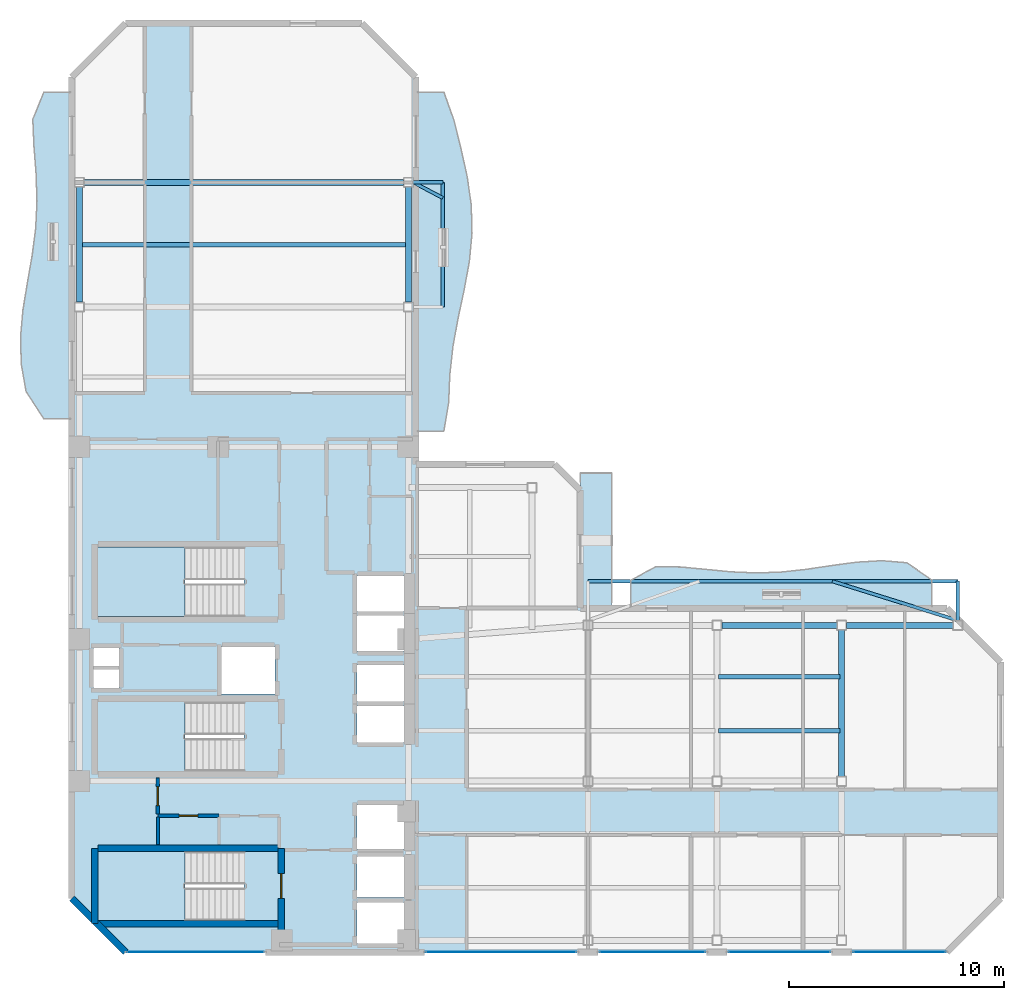
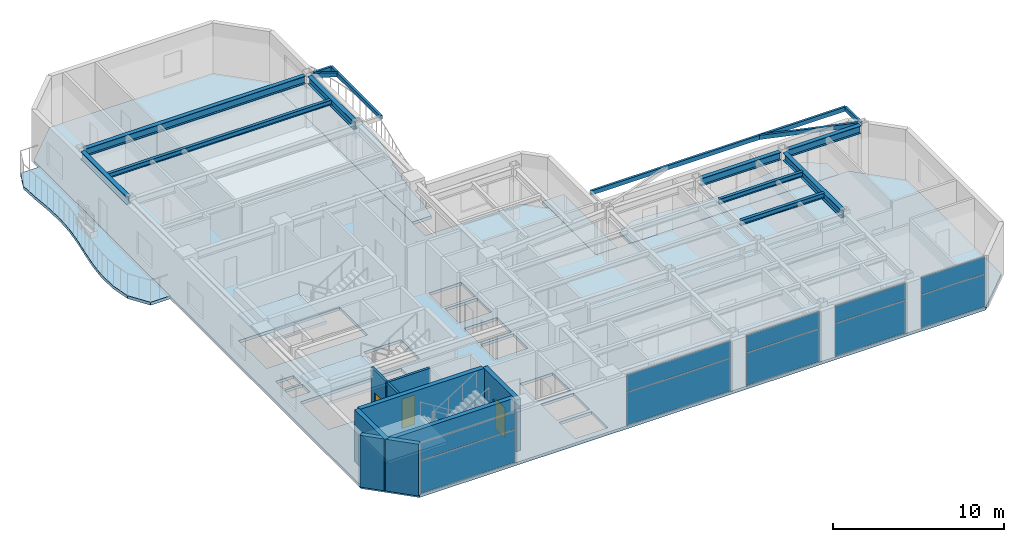
# One storey, part 8 of 15: 15 beams, 10 plates, 8 slabs, 8 walls, 3 doors, 3 openings, 8 elements without a shape of their own.
"""IFC4 building model written with IfcOpenShell, lengths in metres."""

from ifc_helpers import new_model, si_unit, direction, frame, frame_2d, origin, origin_2d, place, context, subcontext, project, spatial, polyline, rectangle, hollow_rectangle, i_section, outline, extrude, material, layer, layer_set, material_profile, profile_set, type_object, element, fill, aggregate, save


model = new_model("IFC4")

# Units and contexts
model_context = context("Model", 3, precision=1e-05, world=origin(), true_north=direction((0.0, 1.0)))
body_context = subcontext(model_context, "Body", "Model", "MODEL_VIEW")
ifc_project = project(units=[si_unit("LENGTHUNIT", "METRE"), si_unit("AREAUNIT", "SQUARE_METRE"), si_unit("VOLUMEUNIT", "CUBIC_METRE"), si_unit("PLANEANGLEUNIT", "RADIAN"), si_unit("MASSUNIT", "GRAM", prefix="KILO")], contexts=[model_context])

# Site, building, storey
site_placement = place(None, origin())
site = spatial("IfcSite", under=ifc_project, at=site_placement, CompositionType="ELEMENT")
building_placement = place(site_placement, origin())
building = spatial("IfcBuilding", under=site, at=building_placement, Name="Mawjaban Terraces University", CompositionType="ELEMENT")
storey_placement = place(building_placement, frame((0.0, 0.0, 207.0)))
storey = spatial("IfcBuildingStorey", under=building, at=storey_placement, Name="L50", CompositionType="ELEMENT", Elevation=207.0)

# Beams
ifc_material_1 = material(Name="Steel EN 10210-1 S355J2H", Category="steel")
ifc_material_profile_1 = material_profile(ifc_material_1, hollow_rectangle(XDim=0.14990234375, YDim=0.300048828125, WallThickness=0.012451171875, at=origin_2d()), Name="RHS300X150X12.5")
ifc_profile_set_1 = profile_set([ifc_material_profile_1], Name="Steel EN 10210-1 S355J2H")
beam_type_1 = type_object("IfcBeamType", Name="BalconyCantileverSpandrel_RHS", PredefinedType="SPANDREL", material=ifc_profile_set_1)
beam_1_placement = place(storey_placement, frame((63.199951171875, 15.425048828125, 3.5400390625), z_axis=(0.0, 1.0, 0.0), x_axis=(-1.0, 0.0, 0.0)))
element("IfcBeam", 1, at=beam_1_placement, inside=storey, type_object=beam_type_1, Name="L50 Exterior Outrigger BAL-L51-N.2", PredefinedType="SPANDREL", context=body_context, shape_type="SweptSolid", body=[
    extrude(hollow_rectangle(XDim=0.14990234375, YDim=0.300048828125, WallThickness=0.012451171875, at=origin_2d()), origin(), (0.0, 0.0, 1.0), 1.824951171875),
])
beam_2_placement = place(storey_placement, frame((46.0, 17.25, 3.5400390625), z_axis=(1.0, 0.0, 0.0), x_axis=(0.0, 1.0, 0.0)))
element("IfcBeam", 2, at=beam_2_placement, inside=storey, type_object=beam_type_1, Name="L50 Exterior Edge Spandrel BAL-L51-N", PredefinedType="SPANDREL", context=body_context, shape_type="SweptSolid", body=[
    extrude(hollow_rectangle(XDim=0.14990234375, YDim=0.300048828125, WallThickness=0.012451171875, at=origin_2d()), origin(), (0.0, 0.0, 1.0), 17.199951171875),
])
beam_3_placement = place(storey_placement, frame((63.199951171875, 15.425048828125, 3.5400390625), z_axis=(-0.954408895032, 0.298502363614, 0.0), x_axis=(-0.298502363614, -0.954408895032, 0.0)))
element("IfcBeam", 3, at=beam_3_placement, inside=storey, type_object=beam_type_1, Name="L50 Exterior Diagonal Strut BAL-L51-N.2", PredefinedType="SPANDREL", context=body_context, shape_type="SweptSolid", body=[
    extrude(hollow_rectangle(XDim=0.14990234375, YDim=0.300048828125, WallThickness=0.012451171875, at=origin_2d()), origin(), (0.0, 0.0, 1.0), 6.11376953125),
])
beam_4_placement = place(storey_placement, frame((37.875, 35.800048828125, 3.5400390625), z_axis=(1.0, 0.0, 0.0), x_axis=(0.0, 1.0, 0.0)))
element("IfcBeam", 4, at=beam_4_placement, inside=storey, type_object=beam_type_1, Name="L50 Exterior Outrigger BAL-L51-E.2", PredefinedType="SPANDREL", context=body_context, shape_type="SweptSolid", body=[
    extrude(hollow_rectangle(XDim=0.14990234375, YDim=0.300048828125, WallThickness=0.012451171875, at=origin_2d()), origin(), (0.0, 0.0, 1.0), 1.375),
])
beam_5_placement = place(storey_placement, frame((39.25, 30.0, 3.5400390625), z_axis=(0.0, 1.0, 0.0), x_axis=(-1.0, 0.0, 0.0)))
element("IfcBeam", 5, at=beam_5_placement, inside=storey, type_object=beam_type_1, Name="L50 Exterior Edge Spandrel BAL-L51-E", PredefinedType="SPANDREL", context=body_context, shape_type="SweptSolid", body=[
    extrude(hollow_rectangle(XDim=0.14990234375, YDim=0.300048828125, WallThickness=0.012451171875, at=origin_2d()), origin(), (0.0, 0.0, 1.0), 5.800048828125),
])
beam_6_placement = place(storey_placement, frame((37.875, 35.800048828125, 3.5400390625), z_axis=(0.8845431803, -0.466458317736, 0.0), x_axis=(0.466458317736, 0.8845431803, 0.0)))
element("IfcBeam", 6, at=beam_6_placement, inside=storey, type_object=beam_type_1, Name="L50 Exterior Diagonal Strut BAL-L51-E.2", PredefinedType="SPANDREL", context=body_context, shape_type="SweptSolid", body=[
    extrude(hollow_rectangle(XDim=0.14990234375, YDim=0.300048828125, WallThickness=0.012451171875, at=origin_2d()), origin(), (0.0, 0.0, 1.0), 1.554443359375),
])
ifc_material_2 = material(Name="Steel ASTM A572 Grade 50", Category="steel")
ifc_material_profile_2 = material_profile(ifc_material_2, i_section(OverallWidth=0.281005859375, OverallDepth=0.551025390625, WebThickness=0.01513671875, FlangeThickness=0.02587890625, at=origin_2d()), Name="W530X182")
ifc_profile_set_2 = profile_set([ifc_material_profile_2], Name="Steel ASTM A572 Grade 50")
beam_type_2 = type_object("IfcBeamType", Name="Beam_B_W530X182", PredefinedType="BEAM", material=ifc_profile_set_2)
beam_7_placement = place(storey_placement, frame((52.22509765625, 15.199951171875, 3.4150390625), z_axis=(1.0, 0.0, 0.0), x_axis=(0.0, 1.0, 0.0)))
element("IfcBeam", 7, at=beam_7_placement, inside=storey, type_object=beam_type_2, Name="L50 Beam BM-L50-EW-08", PredefinedType="BEAM", context=body_context, shape_type="SweptSolid", body=[
    extrude(i_section(OverallWidth=0.281005859375, OverallDepth=0.551025390625, WebThickness=0.01513671875, FlangeThickness=0.02587890625, at=origin_2d()), origin(), (0.0, 0.0, 1.0), 5.349853515625),
])
beam_8_placement = place(storey_placement, frame((58.02490234375, 15.199951171875, 3.4150390625), z_axis=(1.0, 0.0, 0.0), x_axis=(0.0, 1.0, 0.0)))
element("IfcBeam", 8, at=beam_8_placement, inside=storey, type_object=beam_type_2, Name="L50 Beam BM-L50-EW-09", PredefinedType="BEAM", context=body_context, shape_type="SweptSolid", body=[
    extrude(i_section(OverallWidth=0.281005859375, OverallDepth=0.551025390625, WebThickness=0.01513671875, FlangeThickness=0.02587890625, at=origin_2d()), origin(), (0.0, 0.0, 1.0), 4.9501953125),
])
beam_9_placement = place(storey_placement, frame((22.574951171875, 35.800048828125, 3.4150390625), z_axis=(1.0, 0.0, 0.0), x_axis=(0.0, 1.0, 0.0)))
element("IfcBeam", 9, at=beam_9_placement, inside=storey, type_object=beam_type_2, Name="L50 Beam BM-L50-EW-13", PredefinedType="BEAM", context=body_context, shape_type="SweptSolid", body=[
    extrude(i_section(OverallWidth=0.281005859375, OverallDepth=0.551025390625, WebThickness=0.01513671875, FlangeThickness=0.02587890625, at=origin_2d()), origin(), (0.0, 0.0, 1.0), 14.85009765625),
])
for number, where, z_axis, x_axis, name in (
    (10, (22.35009765625, 30.22509765625, 3.4150390625), (0.0, 1.0, 0.0), (-1.0, 0.0, 0.0), "L50 Beam BM-L50-NS-04"),
    (11, (37.64990234375, 30.22509765625, 3.4150390625), (0.0, 1.0, 0.0), (-1.0, 0.0, 0.0), "L50 Beam BM-L50-NS-09"),
):
    element("IfcBeam", number, at=place(storey_placement, frame(where, z_axis=z_axis, x_axis=x_axis)), inside=storey, type_object=beam_type_2, Name=name, PredefinedType="BEAM", context=body_context, shape_type="SweptSolid", body=[
        extrude(i_section(OverallWidth=0.281005859375, OverallDepth=0.551025390625, WebThickness=0.01513671875, FlangeThickness=0.02587890625, at=origin_2d()), origin(), (0.0, 0.0, 1.0), 5.349853515625),
    ])
beam_10_placement = place(storey_placement, frame((57.800048828125, 8.175048828125, 3.4150390625), z_axis=(0.0, 1.0, 0.0), x_axis=(-1.0, 0.0, 0.0)))
element("IfcBeam", 12, at=beam_10_placement, inside=storey, type_object=beam_type_2, Name="L50 Beam BM-L50-NS-15", PredefinedType="BEAM", context=body_context, shape_type="SweptSolid", body=[
    extrude(i_section(OverallWidth=0.281005859375, OverallDepth=0.551025390625, WebThickness=0.01513671875, FlangeThickness=0.02587890625, at=origin_2d()), origin(), (0.0, 0.0, 1.0), 6.800048828125),
])
ifc_material_profile_3 = material_profile(ifc_material_2, i_section(OverallWidth=0.202880859375, OverallDepth=0.346923828125, WebThickness=0.0078125, FlangeThickness=0.013427734375, at=origin_2d()), Name="W360X64")
ifc_profile_set_3 = profile_set([ifc_material_profile_3], Name="Steel ASTM A572 Grade 50")
beam_type_3 = type_object("IfcBeamType", Name="Beam_J_W360X64", PredefinedType="JOIST", material=ifc_profile_set_3)
for number, where, z_axis, x_axis, name in (
    (13, (52.080078125, 10.300048828125, 3.51708984375), (1.0, 0.0, 0.0), (0.0, 1.0, 0.0), "L50 Composite Joist JST-L50-09"),
    (14, (52.080078125, 12.800048828125, 3.51708984375), (1.0, 0.0, 0.0), (0.0, 1.0, 0.0), "L50 Composite Joist JST-L50-12"),
):
    element("IfcBeam", number, at=place(storey_placement, frame(where, z_axis=z_axis, x_axis=x_axis)), inside=storey, type_object=beam_type_3, Name=name, PredefinedType="JOIST", context=body_context, shape_type="SweptSolid", body=[
        extrude(i_section(OverallWidth=0.202880859375, OverallDepth=0.346923828125, WebThickness=0.0078125, FlangeThickness=0.013427734375, at=origin_2d()), origin(), (0.0, 0.0, 1.0), 5.639892578125),
    ])
beam_11_placement = place(storey_placement, frame((22.429931640625, 32.89990234375, 3.51708984375), z_axis=(1.0, 0.0, 0.0), x_axis=(0.0, 1.0, 0.0)))
element("IfcBeam", 15, at=beam_11_placement, inside=storey, type_object=beam_type_3, Name="L50 Composite Joist JST-L50-15", PredefinedType="JOIST", context=body_context, shape_type="SweptSolid", body=[
    extrude(i_section(OverallWidth=0.202880859375, OverallDepth=0.346923828125, WebThickness=0.0078125, FlangeThickness=0.013427734375, at=origin_2d()), origin(), (0.0, 0.0, 1.0), 15.14013671875),
])

# Slabs
ifc_material_3 = material(Name="Concrete C40/50", Category="concrete")
ifc_layer_1 = layer(ifc_material_3, 0.2099609375)
ifc_layer_set_1 = layer_set([ifc_layer_1], Name="Concrete C40/50")
slab_type_1 = type_object("IfcSlabType", Name="BalconySlab_210_Ext", PredefinedType="FLOOR", material=ifc_layer_set_1)
slab_1_placement = place(storey_placement, frame((0.0, 0.0, -0.2099609375)))
element("IfcSlab", 16, at=slab_1_placement, inside=storey, type_object=slab_type_1, Name="L50 Planted Balcony Slab west", PredefinedType="FLOOR", context=body_context, shape_type="SweptSolid", body=[
    extrude(outline(polyline([(22.010009765625, 24.800048828125), (22.010009765625, 40.0), (20.699951171875, 40.0), (20.18310546875, 38.73291015625), (20.237060546875, 37.467041015625), (20.3349609375, 36.199951171875), (20.3779296875, 34.93310546875), (20.318115234375, 33.6669921875), (20.154052734375, 32.39990234375), (19.931884765625, 31.133056640625), (19.72509765625, 29.866943359375), (19.612060546875, 28.60009765625), (19.64892578125, 27.3330078125), (19.8720703125, 26.06689453125), (20.699951171875, 24.800048828125), (22.010009765625, 24.800048828125)])), origin(), (0.0, 0.0, 1.0), 0.2099609375),
])
slab_2_placement = place(storey_placement, frame((0.0, 0.0, -0.2099609375)))
element("IfcSlab", 17, at=slab_2_placement, inside=storey, type_object=slab_type_1, Name="L50 Planted Balcony Slab inner_north", PredefinedType="FLOOR", context=body_context, shape_type="SweptSolid", body=[
    extrude(outline(polyline([(48.0, 15.989990234375), (62.0, 15.989990234375), (62.0, 17.300048828125), (60.8330078125, 18.10888671875), (59.6669921875, 18.2041015625), (58.5, 18.135009765625), (57.3330078125, 17.97802734375), (56.1669921875, 17.803955078125), (55.0, 17.676025390625), (53.8330078125, 17.635009765625), (52.6669921875, 17.68505859375), (51.5, 17.798095703125), (50.3330078125, 17.909912109375), (49.1669921875, 17.927001953125), (48.0, 17.300048828125), (48.0, 15.989990234375)])), origin(), (0.0, 0.0, 1.0), 0.2099609375),
])
slab_3_placement = place(storey_placement, frame((0.0, 0.0, -0.2099609375)))
element("IfcSlab", 18, at=slab_3_placement, inside=storey, type_object=slab_type_1, Name="L50 Planted Balcony Slab inner_east", PredefinedType="FLOOR", context=body_context, shape_type="SweptSolid", body=[
    extrude(outline(polyline([(39.300048828125, 24.235107421875), (39.52197265625, 25.549072265625), (39.576904296875, 26.863037109375), (39.722900390625, 28.176025390625), (39.962890625, 29.489990234375), (40.243896484375, 30.803955078125), (40.485107421875, 32.116943359375), (40.60888671875, 33.430908203125), (40.573974609375, 34.7451171875), (40.385986328125, 36.05908203125), (40.093994140625, 37.373046875), (39.77001953125, 38.68603515625), (39.300048828125, 40.0), (37.989990234375, 40.0), (37.989990234375, 24.235107421875), (39.300048828125, 24.235107421875)])), origin(), (0.0, 0.0, 1.0), 0.2099609375),
])
ifc_layer_2 = layer(ifc_material_3, 0.2099609375)
ifc_layer_set_2 = layer_set([ifc_layer_2], Name="Concrete C40/50")
slab_type_2 = type_object("IfcSlabType", Name="CompositeSlab_210", PredefinedType="FLOOR", material=ifc_layer_set_2)
slab_4_placement = place(storey_placement, frame((0.0, 0.0, -0.2099609375)))
element("IfcSlab", 19, at=slab_4_placement, inside=storey, type_object=slab_type_2, Name="L50 Primary Structural Slab", PredefinedType="FLOOR", context=body_context, shape_type="SweptSolid", body=[
    extrude(outline(polyline([(24.5, 0.0), (62.699951171875, 0.0), (65.199951171875, 2.5), (65.199951171875, 13.5), (62.699951171875, 16.0), (45.64990234375, 16.0), (45.64990234375, 21.48291015625), (44.449951171875, 22.68310546875), (38.0, 22.68310546875), (38.0, 40.699951171875), (35.5, 43.199951171875), (24.5, 43.199951171875), (22.0, 40.699951171875), (22.0, 2.5), (24.5, 0.0)]), holes=[polyline([(30.014892578125, 4.699951171875), (23.199951171875, 4.699951171875), (23.199951171875, 1.449951171875), (30.014892578125, 1.449951171875), (30.014892578125, 4.699951171875)]), polyline([(30.014892578125, 18.85009765625), (23.199951171875, 18.85009765625), (23.199951171875, 15.60009765625), (30.014892578125, 15.60009765625), (30.014892578125, 18.85009765625)]), polyline([(30.014892578125, 11.64990234375), (23.199951171875, 11.64990234375), (23.199951171875, 8.39990234375), (30.014892578125, 8.39990234375), (30.014892578125, 11.64990234375)]), polyline([(35.25, 0.39990234375), (37.449951171875, 0.39990234375), (37.449951171875, 2.300048828125), (35.25, 2.300048828125), (35.25, 0.39990234375)]), polyline([(35.25, 2.550048828125), (37.449951171875, 2.550048828125), (37.449951171875, 4.449951171875), (35.25, 4.449951171875), (35.25, 2.550048828125)]), polyline([(35.25, 4.800048828125), (37.449951171875, 4.800048828125), (37.449951171875, 6.85009765625), (35.25, 6.85009765625), (35.25, 4.800048828125)]), polyline([(35.25, 9.75), (37.449951171875, 9.75), (37.449951171875, 11.449951171875), (35.25, 11.449951171875), (35.25, 9.75)]), polyline([(35.25, 11.64990234375), (37.449951171875, 11.64990234375), (37.449951171875, 13.35009765625), (35.25, 13.35009765625), (35.25, 11.64990234375)]), polyline([(28.949951171875, 12.0), (31.449951171875, 12.0), (31.449951171875, 14.199951171875), (28.949951171875, 14.199951171875), (28.949951171875, 12.0)]), polyline([(35.25, 14.0), (37.449951171875, 14.0), (37.449951171875, 15.64990234375), (35.25, 15.64990234375), (35.25, 14.0)]), polyline([(35.25, 15.85009765625), (37.449951171875, 15.85009765625), (37.449951171875, 17.5), (35.25, 17.5), (35.25, 15.85009765625)]), polyline([(23.0, 12.25), (24.199951171875, 12.25), (24.199951171875, 13.14990234375), (23.0, 13.14990234375), (23.0, 12.25)]), polyline([(23.0, 13.300048828125), (24.199951171875, 13.300048828125), (24.199951171875, 14.179931640625), (23.0, 14.179931640625), (23.0, 13.300048828125)])]), origin(), (0.0, 0.0, 1.0), 0.2099609375),
])

# Stair, slab
stair_type = type_object("IfcStairType", Name="Stair_Core1550_H39", PredefinedType="HALF_TURN_STAIR", material=ifc_material_3)
stair_1_placement = place(storey_placement, origin())
stair_1 = element("IfcStair", 20, at=stair_1_placement, inside=storey, type_object=stair_type, Name="L50 Core Exit Stair 1", PredefinedType="HALF_TURN_STAIR")
ifc_layer_3 = layer(ifc_material_3, 0.199951171875)
ifc_layer_set_3 = layer_set([ifc_layer_3], Name="Concrete C40/50")
slab_type_3 = type_object("IfcSlabType", Name="StairLandingSlab_200", PredefinedType="LANDING", material=ifc_layer_set_3)
slab_5_placement = place(storey_placement, frame((0.0, 0.0, 1.75)))
slab_5 = element("IfcSlab", 21, at=slab_5_placement, type_object=slab_type_3, Name="ST-1 landing 1", PredefinedType="LANDING", context=body_context, shape_type="SweptSolid", body=[
    extrude(outline(polyline([(27.25, 4.699951171875), (23.199951171875, 4.699951171875), (23.199951171875, 1.449951171875), (27.25, 1.449951171875), (27.25, 4.699951171875)])), origin(), (0.0, 0.0, 1.0), 0.199951171875),
])
aggregate(stair_1, [slab_5])

stair_2_placement = place(storey_placement, origin())
stair_2 = element("IfcStair", 22, at=stair_2_placement, inside=storey, type_object=stair_type, Name="L50 Core Exit Stair 2", PredefinedType="HALF_TURN_STAIR")
slab_6_placement = place(storey_placement, frame((0.0, 0.0, 1.75)))
slab_6 = element("IfcSlab", 23, at=slab_6_placement, type_object=slab_type_3, Name="ST-2 landing 1", PredefinedType="LANDING", context=body_context, shape_type="SweptSolid", body=[
    extrude(outline(polyline([(27.25, 18.85009765625), (23.199951171875, 18.85009765625), (23.199951171875, 15.60009765625), (27.25, 15.60009765625), (27.25, 18.85009765625)])), origin(), (0.0, 0.0, 1.0), 0.199951171875),
])
aggregate(stair_2, [slab_6])

stair_3_placement = place(storey_placement, origin())
stair_3 = element("IfcStair", 24, at=stair_3_placement, inside=storey, type_object=stair_type, Name="L50 Core Exit Stair 3", PredefinedType="HALF_TURN_STAIR")
slab_7_placement = place(storey_placement, frame((0.0, 0.0, 1.75)))
slab_7 = element("IfcSlab", 25, at=slab_7_placement, type_object=slab_type_3, Name="ST-3 landing 1", PredefinedType="LANDING", context=body_context, shape_type="SweptSolid", body=[
    extrude(outline(polyline([(27.25, 11.64990234375), (23.199951171875, 11.64990234375), (23.199951171875, 8.39990234375), (27.25, 8.39990234375), (27.25, 11.64990234375)])), origin(), (0.0, 0.0, 1.0), 0.199951171875),
])
aggregate(stair_3, [slab_7])

# Slab
ifc_layer_4 = layer(ifc_material_3, 0.2099609375)
ifc_layer_set_4 = layer_set([ifc_layer_4], Name="Concrete C40/50")
slab_type_4 = type_object("IfcSlabType", Name="StudyTerraceSlab_210_Ext", PredefinedType="FLOOR", material=ifc_layer_set_4)
slab_8_placement = place(storey_placement, frame((0.0, 0.0, -0.2099609375)))
element("IfcSlab", 26, at=slab_8_placement, inside=storey, type_object=slab_type_4, Name="L50 Exterior Study Terrace Slab", PredefinedType="FLOOR", context=body_context, shape_type="SweptSolid", body=[
    extrude(outline(polyline([(45.64990234375, 16.0), (47.10009765625, 16.0), (47.10009765625, 22.282958984375), (45.64990234375, 22.282958984375), (45.64990234375, 16.0)])), origin(), (0.0, 0.0, 1.0), 0.2099609375),
])

# Curtain wall, plates
ifc_material_4 = material(Name="Anodised aluminium 6063-T6 and solar-control low-E glass", Category="aluminium")
ifc_layer_5 = layer(ifc_material_4, 0.159912109375)
ifc_layer_set_5 = layer_set([ifc_layer_5], Name="Anodised aluminium 6063-T6 and solar-control low-E glass")
curtain_wall_type = type_object("IfcCurtainWallType", Name="CWSystem_03_NorthWing", PredefinedType="NOTDEFINED", material=ifc_layer_set_5)
curtain_wall_1_placement = place(storey_placement, origin())
curtain_wall_1 = element("IfcCurtainWall", 27, at=curtain_wall_1_placement, inside=storey, type_object=curtain_wall_type, Name="L50 Curtain Wall CW-03 Run 1.1", PredefinedType="NOTDEFINED")
ifc_material_5 = material(Name="Low-E solar-control double glazing", Category="glass")
ifc_layer_6 = layer(ifc_material_5, 0.028076171875)
ifc_layer_set_6 = layer_set([ifc_layer_6], Name="Low-E solar-control double glazing")
plate_type = type_object("IfcPlateType", Name="VisionPanel_CW-03", PredefinedType="CURTAIN_PANEL", material=ifc_layer_set_6)
plate_1_placement = place(storey_placement, frame((27.75, 0.0, 0.06005859375), z_axis=(0.0, 0.0, 1.0), x_axis=(1.0, 0.0, 0.0)))
plate_1 = element("IfcPlate", 28, at=plate_1_placement, type_object=plate_type, Name="CW-03 panel 1.1", PredefinedType="CURTAIN_PANEL", context=body_context, shape_type="SweptSolid", body=[
    extrude(rectangle(XDim=6.3701171875, YDim=0.028076171875, at=origin_2d()), origin(), (0.0, 0.0, 1.0), 2.30908203125),
])
plate_2_placement = place(storey_placement, frame((27.75, 0.0, 2.42919921875), z_axis=(0.0, 0.0, 1.0), x_axis=(1.0, 0.0, 0.0)))
plate_2 = element("IfcPlate", 29, at=plate_2_placement, type_object=plate_type, Name="CW-03 panel 1.2", PredefinedType="CURTAIN_PANEL", context=body_context, shape_type="SweptSolid", body=[
    extrude(rectangle(XDim=6.3701171875, YDim=0.028076171875, at=origin_2d()), origin(), (0.0, 0.0, 1.0), 1.200927734375),
])
aggregate(curtain_wall_1, [plate_1, plate_2])

curtain_wall_2_placement = place(storey_placement, origin())
curtain_wall_2 = element("IfcCurtainWall", 30, at=curtain_wall_2_placement, inside=storey, type_object=curtain_wall_type, Name="L50 Curtain Wall CW-03 Run 1.2", PredefinedType="NOTDEFINED")
plate_3_placement = place(storey_placement, frame((41.96240234375, 0.0, 0.06005859375), z_axis=(0.0, 0.0, 1.0), x_axis=(1.0, 0.0, 0.0)))
plate_3 = element("IfcPlate", 31, at=plate_3_placement, type_object=plate_type, Name="CW-03 panel 1.1", PredefinedType="CURTAIN_PANEL", context=body_context, shape_type="SweptSolid", body=[
    extrude(rectangle(XDim=6.9951171875, YDim=0.028076171875, at=origin_2d()), origin(), (0.0, 0.0, 1.0), 2.30908203125),
])
plate_4_placement = place(storey_placement, frame((41.96240234375, 0.0, 2.42919921875), z_axis=(0.0, 0.0, 1.0), x_axis=(1.0, 0.0, 0.0)))
plate_4 = element("IfcPlate", 32, at=plate_4_placement, type_object=plate_type, Name="CW-03 panel 1.2", PredefinedType="CURTAIN_PANEL", context=body_context, shape_type="SweptSolid", body=[
    extrude(rectangle(XDim=6.9951171875, YDim=0.028076171875, at=origin_2d()), origin(), (0.0, 0.0, 1.0), 1.200927734375),
])
aggregate(curtain_wall_2, [plate_3, plate_4])

curtain_wall_3_placement = place(storey_placement, origin())
curtain_wall_3 = element("IfcCurtainWall", 33, at=curtain_wall_3_placement, inside=storey, type_object=curtain_wall_type, Name="L50 Curtain Wall CW-03 Run 1.3", PredefinedType="NOTDEFINED")
plate_5_placement = place(storey_placement, frame((49.0, 0.0, 0.06005859375), z_axis=(0.0, 0.0, 1.0), x_axis=(1.0, 0.0, 0.0)))
plate_5 = element("IfcPlate", 34, at=plate_5_placement, type_object=plate_type, Name="CW-03 panel 1.1", PredefinedType="CURTAIN_PANEL", context=body_context, shape_type="SweptSolid", body=[
    extrude(rectangle(XDim=4.919921875, YDim=0.028076171875, at=origin_2d()), origin(), (0.0, 0.0, 1.0), 2.30908203125),
])
plate_6_placement = place(storey_placement, frame((49.0, 0.0, 2.42919921875), z_axis=(0.0, 0.0, 1.0), x_axis=(1.0, 0.0, 0.0)))
plate_6 = element("IfcPlate", 35, at=plate_6_placement, type_object=plate_type, Name="CW-03 panel 1.2", PredefinedType="CURTAIN_PANEL", context=body_context, shape_type="SweptSolid", body=[
    extrude(rectangle(XDim=4.919921875, YDim=0.028076171875, at=origin_2d()), origin(), (0.0, 0.0, 1.0), 1.200927734375),
])
aggregate(curtain_wall_3, [plate_5, plate_6])

curtain_wall_4_placement = place(storey_placement, origin())
curtain_wall_4 = element("IfcCurtainWall", 36, at=curtain_wall_4_placement, inside=storey, type_object=curtain_wall_type, Name="L50 Curtain Wall CW-03 Run 1.4", PredefinedType="NOTDEFINED")
plate_7_placement = place(storey_placement, frame((54.89990234375, 0.0, 0.06005859375), z_axis=(0.0, 0.0, 1.0), x_axis=(1.0, 0.0, 0.0)))
plate_7 = element("IfcPlate", 37, at=plate_7_placement, type_object=plate_type, Name="CW-03 panel 1.1", PredefinedType="CURTAIN_PANEL", context=body_context, shape_type="SweptSolid", body=[
    extrude(rectangle(XDim=4.719970703125, YDim=0.028076171875, at=origin_2d()), origin(), (0.0, 0.0, 1.0), 2.30908203125),
])
plate_8_placement = place(storey_placement, frame((54.89990234375, 0.0, 2.42919921875), z_axis=(0.0, 0.0, 1.0), x_axis=(1.0, 0.0, 0.0)))
plate_8 = element("IfcPlate", 38, at=plate_8_placement, type_object=plate_type, Name="CW-03 panel 1.2", PredefinedType="CURTAIN_PANEL", context=body_context, shape_type="SweptSolid", body=[
    extrude(rectangle(XDim=4.719970703125, YDim=0.028076171875, at=origin_2d()), origin(), (0.0, 0.0, 1.0), 1.200927734375),
])
aggregate(curtain_wall_4, [plate_7, plate_8])

curtain_wall_5_placement = place(storey_placement, origin())
curtain_wall_5 = element("IfcCurtainWall", 39, at=curtain_wall_5_placement, inside=storey, type_object=curtain_wall_type, Name="L50 Curtain Wall CW-03 Run 1.5", PredefinedType="NOTDEFINED")
plate_9_placement = place(storey_placement, frame((60.487548828125, 0.0, 0.06005859375), z_axis=(0.0, 0.0, 1.0), x_axis=(1.0, 0.0, 0.0)))
plate_9 = element("IfcPlate", 40, at=plate_9_placement, type_object=plate_type, Name="CW-03 panel 1.1", PredefinedType="CURTAIN_PANEL", context=body_context, shape_type="SweptSolid", body=[
    extrude(rectangle(XDim=4.294921875, YDim=0.028076171875, at=origin_2d()), origin(), (0.0, 0.0, 1.0), 2.30908203125),
])
plate_10_placement = place(storey_placement, frame((60.487548828125, 0.0, 2.42919921875), z_axis=(0.0, 0.0, 1.0), x_axis=(1.0, 0.0, 0.0)))
plate_10 = element("IfcPlate", 41, at=plate_10_placement, type_object=plate_type, Name="CW-03 panel 1.2", PredefinedType="CURTAIN_PANEL", context=body_context, shape_type="SweptSolid", body=[
    extrude(rectangle(XDim=4.294921875, YDim=0.028076171875, at=origin_2d()), origin(), (0.0, 0.0, 1.0), 1.200927734375),
])
aggregate(curtain_wall_5, [plate_9, plate_10])

# Wall, opening, door
ifc_material_6 = material(Name="Fire-rated gypsum board on steel stud", Category="steel")
ifc_layer_7 = layer(ifc_material_6, 0.159912109375)
ifc_layer_set_7 = layer_set([ifc_layer_7], Name="Fire-rated gypsum board on steel stud")
wall_type_1 = type_object("IfcWallType", Name="CorridorPartition_160", PredefinedType="PARTITIONING", material=ifc_layer_set_7)
wall_1_placement = place(storey_placement, frame((26.0, 6.35009765625, 0.0), z_axis=(0.0, 0.0, 1.0), x_axis=(1.0, 0.0, 0.0)))
wall_1 = element("IfcWall", 42, at=wall_1_placement, inside=storey, type_object=wall_type_1, Name="L50 Core Washroom Lobby Partition 5", PredefinedType="PARTITIONING", context=body_context, shape_type="SweptSolid", body=[
    extrude(rectangle(XDim=2.85009765625, YDim=0.159912109375, at=frame_2d((1.425048828125, 0.0))), origin(), (0.0, 0.0, 1.0), 3.68994140625),
])
opening_1_placement = place(wall_1_placement, frame((0.985107421875, 0.0, 0.0)))
opening_1 = element("IfcOpeningElement", 43, at=opening_1_placement, cuts=wall_1, Name="Opening ID-088", PredefinedType="OPENING", context=body_context, shape_type="SweptSolid", body=[
    extrude(rectangle(XDim=0.8798828125, YDim=2.10009765625, at=frame_2d((0.43994140625, 1.050048828125))), frame((0.0, 0.08984375, 0.0), z_axis=(0.0, -1.0, 0.0), x_axis=(1.0, 0.0, 0.0)), (0.0, 0.0, 1.0), 0.179931640625),
])
ifc_material_7 = material(Name="Powder-coated steel frame and solid acoustic timber leaf", Category="steel")
door_type_1 = type_object("IfcDoorType", Name="ToiletDoor_880x2100", OperationType="NOTDEFINED", PredefinedType="DOOR", material=ifc_material_7)
door_1_placement = place(opening_1_placement, origin())
door_1 = element("IfcDoor", 44, at=door_1_placement, inside=storey, type_object=door_type_1, Name="L50 Male Toilet Door", OperationType="SINGLE_SWING_RIGHT", OverallHeight=2.10009765625, OverallWidth=0.8798828125, PredefinedType="DOOR", context=body_context, shape_type="SweptSolid", body=[
    extrude(rectangle(XDim=0.8798828125, YDim=2.10009765625, at=frame_2d((0.43994140625, 1.050048828125))), frame((0.0, 0.02490234375, 0.0), z_axis=(0.0, -1.0, 0.0), x_axis=(1.0, 0.0, 0.0)), (0.0, 0.0, 1.0), 0.050048828125),
])
fill(opening_1, door_1)

wall_2_placement = place(storey_placement, frame((26.0, 8.090087890625, 0.0), z_axis=(0.0, 0.0, 1.0), x_axis=(0.0, -1.0, 0.0)))
wall_2 = element("IfcWall", 45, at=wall_2_placement, inside=storey, type_object=wall_type_1, Name="L50 Core Washroom Lobby Partition 34", PredefinedType="PARTITIONING", context=body_context, shape_type="SweptSolid", body=[
    extrude(rectangle(XDim=1.6650390625, YDim=0.159912109375, at=frame_2d((0.83251953125, 0.0))), origin(), (0.0, 0.0, 1.0), 3.68994140625),
])
opening_2_placement = place(wall_2_placement, frame((0.39306640625, 0.0, 0.0)))
opening_2 = element("IfcOpeningElement", 46, at=opening_2_placement, cuts=wall_2, Name="Opening ID-088", PredefinedType="OPENING", context=body_context, shape_type="SweptSolid", body=[
    extrude(rectangle(XDim=0.8798828125, YDim=2.10009765625, at=frame_2d((0.43994140625, 1.050048828125))), frame((0.0, 0.08984375, 0.0), z_axis=(0.0, -1.0, 0.0), x_axis=(1.0, 0.0, 0.0)), (0.0, 0.0, 1.0), 0.179931640625),
])
door_2_placement = place(opening_2_placement, origin())
door_2 = element("IfcDoor", 47, at=door_2_placement, inside=storey, type_object=door_type_1, Name="L50 Ablution Room Door", OperationType="SINGLE_SWING_LEFT", OverallHeight=2.10009765625, OverallWidth=0.8798828125, PredefinedType="DOOR", context=body_context, shape_type="SweptSolid", body=[
    extrude(rectangle(XDim=0.8798828125, YDim=2.10009765625, at=frame_2d((0.43994140625, 1.050048828125))), frame((0.0, 0.02490234375, 0.0), z_axis=(0.0, -1.0, 0.0), x_axis=(1.0, 0.0, 0.0)), (0.0, 0.0, 1.0), 0.050048828125),
])
fill(opening_2, door_2)

# Walls
ifc_material_8 = material(Name="Insulated terracotta rainscreen on concrete backup C40/50", Category="masonry")
ifc_layer_8 = layer(ifc_material_8, 0.300048828125)
ifc_layer_set_8 = layer_set([ifc_layer_8], Name="Insulated terracotta rainscreen on concrete backup C40/50")
wall_type_2 = type_object("IfcWallType", Name="ExtTerracottaWall_300", PredefinedType="SOLIDWALL", material=ifc_layer_set_8)
wall_3_placement = place(storey_placement, frame((22.0, 2.5, 0.0), z_axis=(0.0, 0.0, 1.0), x_axis=(0.707106781187, -0.707106781187, 0.0)))
element("IfcWall", 48, at=wall_3_placement, inside=storey, type_object=wall_type_2, Name="L50 Exterior Terracotta Wall 14", PredefinedType="SOLIDWALL", context=body_context, shape_type="SweptSolid", body=[
    extrude(rectangle(XDim=3.53564453125, YDim=0.300048828125, at=frame_2d((1.767822265625, 0.0))), origin(), (0.0, 0.0, 1.0), 3.68994140625),
])
ifc_material_9 = material(Name="Concrete C60/75", Category="concrete")
ifc_layer_9 = layer(ifc_material_9, 0.300048828125)
ifc_layer_set_9 = layer_set([ifc_layer_9], Name="Concrete C60/75")
wall_type_3 = type_object("IfcWallType", Name="StairShaftWall_300", PredefinedType="SHEAR", material=ifc_layer_set_9)
wall_4_placement = place(storey_placement, frame((31.580078125, 4.830078125, 0.0), z_axis=(0.0, 0.0, 1.0), x_axis=(-1.0, 0.0, 0.0)))
element("IfcWall", 49, at=wall_4_placement, inside=storey, type_object=wall_type_3, Name="L50 ST-1 Stair Shaft Wall 1", PredefinedType="SHEAR", context=body_context, shape_type="SweptSolid", body=[
    extrude(rectangle(XDim=8.360107421875, YDim=0.300048828125, at=frame_2d((4.18017578125, 0.0))), origin(), (0.0, 0.0, 1.0), 3.68994140625),
])
wall_5_placement = place(storey_placement, frame((23.070068359375, 4.830078125, 0.0), z_axis=(0.0, 0.0, 1.0), x_axis=(0.0, -1.0, 0.0)))
element("IfcWall", 50, at=wall_5_placement, inside=storey, type_object=wall_type_3, Name="L50 ST-1 Stair Shaft Wall 2", PredefinedType="SHEAR", context=body_context, shape_type="SweptSolid", body=[
    extrude(rectangle(XDim=3.510009765625, YDim=0.300048828125, at=frame_2d((1.7548828125, 0.0))), origin(), (0.0, 0.0, 1.0), 3.68994140625),
])
wall_6_placement = place(storey_placement, frame((23.219970703125, 1.320068359375, 0.0), z_axis=(0.0, 0.0, 1.0), x_axis=(1.0, 0.0, 0.0)))
element("IfcWall", 51, at=wall_6_placement, inside=storey, type_object=wall_type_3, Name="L50 ST-1 Stair Shaft Wall 3", PredefinedType="SHEAR", context=body_context, shape_type="SweptSolid", body=[
    extrude(rectangle(XDim=8.360107421875, YDim=0.300048828125, at=frame_2d((4.18017578125, 0.0))), origin(), (0.0, 0.0, 1.0), 3.68994140625),
])

# Wall, opening, door
wall_7_placement = place(storey_placement, frame((31.72998046875, 0.9599609375, 0.0), z_axis=(0.0, 0.0, 1.0), x_axis=(0.0, 1.0, 0.0)))
wall_7 = element("IfcWall", 52, at=wall_7_placement, inside=storey, type_object=wall_type_3, Name="L50 ST-1 Stair Shaft Wall 4", PredefinedType="SHEAR", context=body_context, shape_type="SweptSolid", body=[
    extrude(rectangle(XDim=3.8701171875, YDim=0.300048828125, at=frame_2d((1.93505859375, 0.0))), origin(), (0.0, 0.0, 1.0), 3.68994140625),
])
opening_3_placement = place(wall_7_placement, frame((1.5400390625, 0.0, 0.0)))
opening_3 = element("IfcOpeningElement", 53, at=opening_3_placement, cuts=wall_7, Name="Opening FD-115", PredefinedType="OPENING", context=body_context, shape_type="SweptSolid", body=[
    extrude(rectangle(XDim=1.14990234375, YDim=2.14990234375, at=frame_2d((0.574951171875, 1.074951171875))), frame((0.0, 0.159912109375, 0.0), z_axis=(0.0, -1.0, 0.0), x_axis=(1.0, 0.0, 0.0)), (0.0, 0.0, 1.0), 0.320068359375),
])
ifc_material_10 = material(Name="Powder-coated steel frame and fire-rated steel-faced leaf", Category="steel")
door_type_2 = type_object("IfcDoorType", Name="FireStairDoor_1150x2150", OperationType="NOTDEFINED", PredefinedType="DOOR", material=ifc_material_10)
door_3_placement = place(opening_3_placement, origin())
door_3 = element("IfcDoor", 54, at=door_3_placement, inside=storey, type_object=door_type_2, Name="L50 ST-1 Pressurised Stair Fire Door", OperationType="SINGLE_SWING_LEFT", OverallHeight=2.14990234375, OverallWidth=1.14990234375, PredefinedType="DOOR", context=body_context, shape_type="SweptSolid", body=[
    extrude(rectangle(XDim=1.14990234375, YDim=2.14990234375, at=frame_2d((0.574951171875, 1.074951171875))), frame((0.0, 0.02490234375, 0.0), z_axis=(0.0, -1.0, 0.0), x_axis=(1.0, 0.0, 0.0)), (0.0, 0.0, 1.0), 0.050048828125),
])
fill(opening_3, door_3)

# Wall
ifc_material_11 = material(Name="Cement-board wet-room partition", Category="masonry")
ifc_layer_10 = layer(ifc_material_11, 0.135009765625)
ifc_layer_set_10 = layer_set([ifc_layer_10], Name="Cement-board wet-room partition")
wall_type_4 = type_object("IfcWallType", Name="WetRoomPartition_135", PredefinedType="PARTITIONING", material=ifc_layer_set_10)
wall_8_placement = place(storey_placement, frame((26.0, 5.010009765625, 0.0), z_axis=(0.0, 0.0, 1.0), x_axis=(0.0, 1.0, 0.0)))
element("IfcWall", 55, at=wall_8_placement, inside=storey, type_object=wall_type_4, Name="L50 Ablution Room Partition 33", PredefinedType="PARTITIONING", context=body_context, shape_type="SweptSolid", body=[
    extrude(rectangle(XDim=1.264892578125, YDim=0.135009765625, at=frame_2d((0.63232421875, 0.0))), origin(), (0.0, 0.0, 1.0), 3.68994140625),
])

save(model, "model.ifc")
